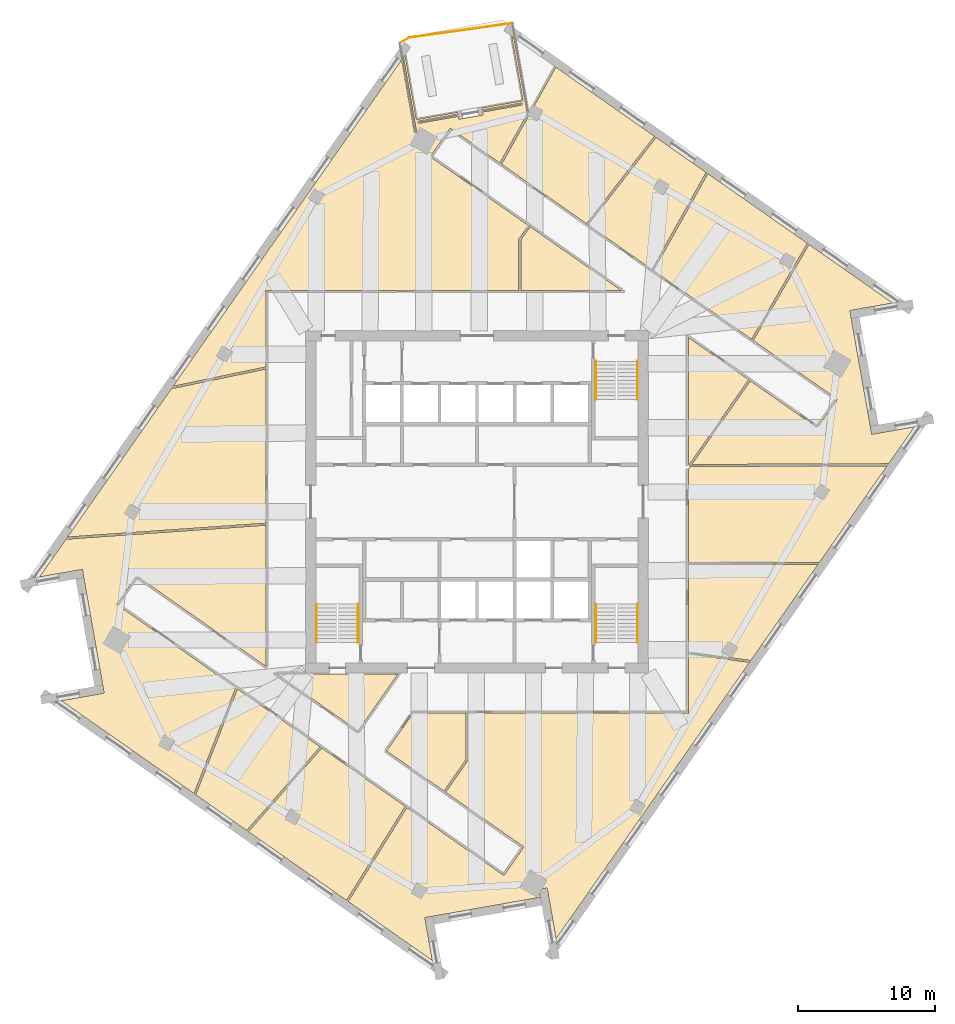
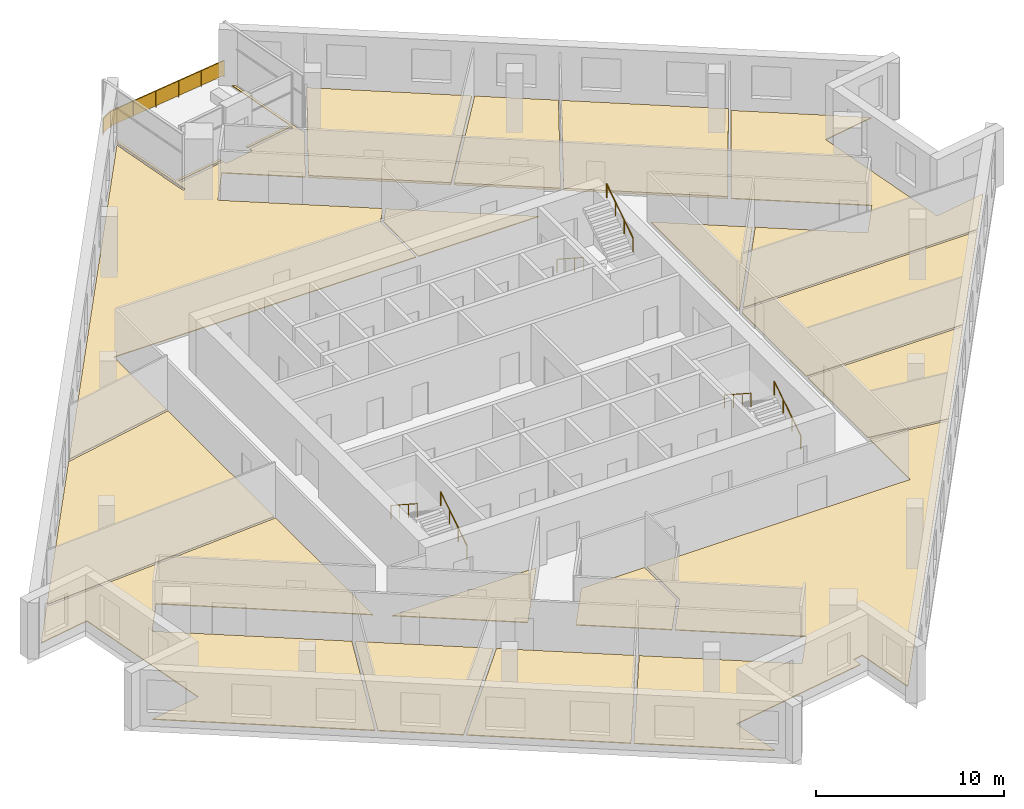
# One storey, part 12 of 13: 16 coverings, 7 railings.
"""IFC4 building model written with IfcOpenShell, lengths in metres."""

import ifcopenshell
import ifcopenshell.guid

model = None  # the IFC model being written
_history = None  # IfcOwnerHistory: only IFC2X3 demands one
_inside = {}  # id of a spatial element -> (the spatial element, [elements in it])
_under = {}  # id of a project, library or spatial element -> (it, [spatial elements below it])
_declared = {}  # id of a project -> (the project, [libraries it declares])
_typed = {}  # id of a type object -> (the type object, [elements of that type])
_made_of = {}  # id of a material, layer set ... -> (it, [elements and type objects made of it])


def new_model(schema):
    """Start an empty IFC model of exactly this schema.

    Asked for "IFC4X3", IfcOpenShell would pick the latest addendum, in which some entities
    have other attributes; the version numbers below select the first issue.
    IFC2X3 requires an IfcOwnerHistory on every rooted entity: one is made here for all.
    """
    global model, _history
    if schema == "IFC4X3":
        model = ifcopenshell.file(schema_version=(4, 3, 0, 0))
    else:
        model = ifcopenshell.file(schema=schema)
    _inside.clear()
    _under.clear()
    _declared.clear()
    _typed.clear()
    _made_of.clear()
    _history = None
    if model.schema == "IFC2X3":
        org = make("IfcOrganization", Name="unknown")
        user = make(
            "IfcPersonAndOrganization",
            ThePerson=make("IfcPerson", FamilyName="unknown"),
            TheOrganization=org,
        )
        app = make(
            "IfcApplication",
            ApplicationDeveloper=org,
            Version="unknown",
            ApplicationFullName="unknown",
            ApplicationIdentifier="unknown",
        )
        _history = make(
            "IfcOwnerHistory",
            OwningUser=user,
            OwningApplication=app,
            ChangeAction="ADDED",
            CreationDate=0,
        )
    return model


def make(cls, **values):
    """One entity of the class cls with the attributes given. An attribute that is None is left unset."""
    return model.create_entity(
        cls, **{name: value for name, value in values.items() if value is not None}
    )


def rooted(cls, **values):
    """An entity with a GlobalId (a new one), such as an element, a storey or a relation."""
    return make(cls, GlobalId=ifcopenshell.guid.new(), OwnerHistory=_history, **values)


def si_unit(unit_type, name, prefix=None):
    """IfcSIUnit, for example si_unit("LENGTHUNIT", "METRE", prefix="MILLI")."""
    return make("IfcSIUnit", UnitType=unit_type, Prefix=prefix, Name=name)


def assignment(units):
    """IfcUnitAssignment: the units of a project."""
    return None if units is None else make("IfcUnitAssignment", Units=units)


def point(xyz):
    """IfcCartesianPoint."""
    return None if xyz is None else make("IfcCartesianPoint", Coordinates=xyz)


def direction(xyz):
    """IfcDirection."""
    return None if xyz is None else make("IfcDirection", DirectionRatios=xyz)


def frame(location, z_axis=None, x_axis=None):
    """IfcAxis2Placement3D, a coordinate frame: its origin and axes. An axis left out is left unset."""
    return make(
        "IfcAxis2Placement3D",
        Location=point(location),
        Axis=direction(z_axis),
        RefDirection=direction(x_axis),
    )


def frame_2d(location, x_axis=None):
    """IfcAxis2Placement2D, a coordinate frame in the plane: its origin and x axis."""
    return make(
        "IfcAxis2Placement2D", Location=point(location), RefDirection=direction(x_axis)
    )


def origin():
    """The frame at (0, 0, 0) with its axes left unset."""
    return frame((0.0, 0.0, 0.0))


def origin_2d():
    """The frame at (0, 0) in the plane with its x axis left unset."""
    return frame_2d((0.0, 0.0))


def place(relative_to, where):
    """IfcLocalPlacement: puts the frame where relative to a parent placement (None: the world)."""
    return make(
        "IfcLocalPlacement", PlacementRelTo=relative_to, RelativePlacement=where
    )


def context(
    kind, dimensions, precision=None, world=None, true_north=None, identifier=None
):
    """IfcGeometricRepresentationContext, for example the 3D "Model" context."""
    return make(
        "IfcGeometricRepresentationContext",
        ContextIdentifier=identifier,
        ContextType=kind,
        CoordinateSpaceDimension=dimensions,
        Precision=precision,
        WorldCoordinateSystem=world,
        TrueNorth=true_north,
    )


def subcontext(parent, identifier, kind, view, scale=None):
    """IfcGeometricRepresentationSubContext, for example "Body" below "Model"."""
    return make(
        "IfcGeometricRepresentationSubContext",
        ContextIdentifier=identifier,
        ContextType=kind,
        ParentContext=parent,
        TargetScale=scale,
        TargetView=view,
    )


def project(units=None, contexts=None):
    """IfcProject with its units and contexts."""
    return rooted(
        "IfcProject",
        Name="project",
        RepresentationContexts=contexts,
        UnitsInContext=assignment(units),
    )


def spatial(cls, under=None, at=None, **own):
    """A site, building, storey or space (cls), placed at a placement, below another one or the project."""
    s = rooted(cls, ObjectPlacement=at, **own)
    if under is not None:
        _under.setdefault(under.id(), (under, []))[1].append(s)
    return s


def polyline(points):
    """IfcPolyline through the points."""
    return make("IfcPolyline", Points=[point(p) for p in points])


def profile(cls, at=None, kind="AREA", **sizes):
    """A parametric profile (cls). Its sizes go by their IFC names, for example OverallWidth=200.0."""
    return make(cls, ProfileType=kind, Position=at, **sizes)


def rectangle(**sizes):
    """IfcRectangleProfileDef."""
    return profile("IfcRectangleProfileDef", **sizes)


def circle(**sizes):
    """IfcCircleProfileDef."""
    return profile("IfcCircleProfileDef", **sizes)


def outline(outer, holes=None, kind="AREA"):
    """IfcArbitraryClosedProfileDef: a profile drawn as a closed curve; with holes, ...WithVoids."""
    if holes is None:
        return make("IfcArbitraryClosedProfileDef", ProfileType=kind, OuterCurve=outer)
    return make(
        "IfcArbitraryProfileDefWithVoids",
        ProfileType=kind,
        OuterCurve=outer,
        InnerCurves=holes,
    )


def extrude(swept, where, along, depth):
    """IfcExtrudedAreaSolid: the profile swept, set in the frame where, extruded along a direction by depth."""
    return make(
        "IfcExtrudedAreaSolid",
        SweptArea=swept,
        Position=where,
        ExtrudedDirection=direction(along),
        Depth=depth,
    )


def shape(context_of_items, identifier, shape_type, items):
    """IfcShapeRepresentation: the items that make up one representation, for example the "Body"."""
    return make(
        "IfcShapeRepresentation",
        ContextOfItems=context_of_items,
        RepresentationIdentifier=identifier,
        RepresentationType=shape_type,
        Items=items,
    )


def material(Name=None, Category=None):
    """IfcMaterial."""
    return make("IfcMaterial", Name=Name, Category=Category)


def layer(
    of_material, thickness, ventilated=None, Name=None, Category=None, Priority=None
):
    """IfcMaterialLayer: one layer of a wall or slab, of a material (None: an air gap)."""
    return make(
        "IfcMaterialLayer",
        Material=of_material,
        LayerThickness=thickness,
        IsVentilated=ventilated,
        Name=Name,
        Category=Category,
        Priority=Priority,
    )


def layer_set(layers, Name=None):
    """IfcMaterialLayerSet."""
    return make("IfcMaterialLayerSet", MaterialLayers=layers, LayerSetName=Name)


def made_of(thing, what):
    """Note that an element or type object is made of a material, layer set ...; save() writes the relation."""
    if what is not None:
        _made_of.setdefault(what.id(), (what, []))[1].append(thing)
    return thing


def type_object(cls, material=None, **own):
    """A type object (cls), such as IfcWallType, which elements share."""
    return made_of(rooted(cls, **own), material)


def element(
    cls,
    number,
    at=None,
    inside=None,
    cuts=None,
    type_object=None,
    material=None,
    context=None,
    identifier="Body",
    shape_type=None,
    held_by="IfcProductDefinitionShape",
    body=None,
    shapes=None,
    **own,
):
    """One element of the class cls, such as IfcWall. Its Tag is "e" and its number.

    at: its placement. inside: the storey or other place that contains it. cuts: it is an
    opening in that element (IfcRelVoidsElement). A single representation is given by context,
    identifier, shape_type and body (its items); several are given by shapes. held_by: the class
    of the entity that holds the representations. save() writes the other relations.
    """
    e = rooted(cls, Tag="e%d" % number, ObjectPlacement=at, **own)
    if body is not None:
        shapes = [shape(context, identifier, shape_type, body)]
    if shapes is not None:
        e.Representation = make(held_by, Representations=shapes)
    if inside is not None:
        _inside.setdefault(inside.id(), (inside, []))[1].append(e)
    if cuts is not None:
        rooted(
            "IfcRelVoidsElement", RelatingBuildingElement=cuts, RelatedOpeningElement=e
        )
    if type_object is not None:
        _typed.setdefault(type_object.id(), (type_object, []))[1].append(e)
    return made_of(e, material)


def aggregate(whole, parts):
    """IfcRelAggregates: a whole, such as a stair, and the parts it consists of."""
    return rooted("IfcRelAggregates", RelatingObject=whole, RelatedObjects=parts)


def save(model, path):
    """Write the relations noted so far, then the file.

    IfcRelAggregates (storeys below a building ...), IfcRelContainedInSpatialStructure (elements
    in a storey), IfcRelDefinesByType, IfcRelAssociatesMaterial and IfcRelDeclares: one each for
    every whole, place, type object, material and project.
    """
    for whole, parts in _under.values():
        aggregate(whole, parts)
    for where, things in _inside.values():
        rooted(
            "IfcRelContainedInSpatialStructure",
            RelatedElements=things,
            RelatingStructure=where,
        )
    for kind, things in _typed.values():
        rooted("IfcRelDefinesByType", RelatedObjects=things, RelatingType=kind)
    for what, things in _made_of.values():
        rooted("IfcRelAssociatesMaterial", RelatedObjects=things, RelatingMaterial=what)
    for by, libraries in _declared.values():
        rooted("IfcRelDeclares", RelatingContext=by, RelatedDefinitions=libraries)
    model.write(path)


model = new_model("IFC4")

# Units and contexts
model_context = context("Model", 3, precision=1e-05, world=origin(), true_north=direction((0.0, 1.0)))
body_context = subcontext(model_context, "Body", "Model", "MODEL_VIEW")
ifc_project = project(units=[si_unit("LENGTHUNIT", "METRE"), si_unit("AREAUNIT", "SQUARE_METRE"), si_unit("VOLUMEUNIT", "CUBIC_METRE"), si_unit("PLANEANGLEUNIT", "RADIAN"), si_unit("MASSUNIT", "GRAM", prefix="KILO")], contexts=[model_context])

# Site, building, storey
site_placement = place(None, origin())
site = spatial("IfcSite", under=ifc_project, at=site_placement, CompositionType="ELEMENT")
building_placement = place(site_placement, origin())
building = spatial("IfcBuilding", under=site, at=building_placement, Name="Dilmun Exchange Tower", CompositionType="ELEMENT")
storey_placement = place(building_placement, frame((0.0, 0.0, 250.89990234375)))
storey = spatial("IfcBuildingStorey", under=building, at=storey_placement, Name="L59", CompositionType="ELEMENT", Elevation=250.89990234375)

# Coverings
ifc_material_1 = material(Name="Carpet floor finish 50")
ifc_layer_1 = layer(ifc_material_1, 0.050048828125)
ifc_layer_set_1 = layer_set([ifc_layer_1], Name="Carpet floor finish 50")
covering_type_1 = type_object("IfcCoveringType", Name="Carpet floor finish 50", PredefinedType="FLOORING", material=ifc_layer_set_1)
covering_1_placement = place(storey_placement, origin())
element("IfcCovering", 1, at=covering_1_placement, inside=storey, type_object=covering_type_1, Name="Carpet floor finish 50 Research library 1", PredefinedType="FLOORING", context=body_context, shape_type="SweptSolid", body=[
    extrude(outline(polyline([(-15.47509765625, -1.712646484375), (-15.47509765625, -12.04638671875), (-24.933837890625, -5.42333984375), (-26.396484375, -7.51220703125), (-17.677734375, -13.6171875), (-20.736328125, -21.368408203125), (-30.45166015625, -14.56591796875), (-27.31787109375, -14.01318359375), (-27.317626953125, -14.01318359375), (-27.3173828125, -14.01318359375), (-27.317138671875, -14.01318359375), (-27.31689453125, -14.012939453125), (-27.31689453125, -14.012939453125), (-27.316650390625, -14.0126953125), (-27.316650390625, -14.0126953125), (-27.31640625, -14.012451171875), (-27.31640625, -14.01220703125), (-27.31640625, -14.01220703125), (-27.316162109375, -14.011962890625), (-27.316162109375, -14.01171875), (-27.316162109375, -14.01171875), (-27.316162109375, -14.011474609375), (-27.316162109375, -14.01123046875), (-27.316162109375, -14.010986328125), (-27.42041015625, -13.42041015625), (-27.42041015625, -13.42041015625), (-27.42041015625, -13.420166015625), (-28.809326171875, -5.5419921875), (-28.809326171875, -5.5419921875), (-28.809326171875, -5.5419921875), (-28.809326171875, -5.541748046875), (-28.91357421875, -4.95068359375), (-28.913818359375, -4.95068359375), (-28.913818359375, -4.950439453125), (-28.913818359375, -4.9501953125), (-28.913818359375, -4.9501953125), (-28.9140625, -4.949951171875), (-28.9140625, -4.94970703125), (-28.914306640625, -4.94970703125), (-28.914306640625, -4.949462890625), (-28.91455078125, -4.949462890625), (-28.914794921875, -4.94921875), (-28.9150390625, -4.94921875), (-28.915283203125, -4.94921875), (-28.915283203125, -4.94921875), (-28.91552734375, -4.94921875), (-28.915771484375, -4.94921875), (-28.916015625, -4.94921875), (-32.0498046875, -5.501708984375), (-30.11279296875, -2.735107421875), (-15.47509765625, -1.712646484375)])), origin(), (0.0, 0.0, 1.0), 0.050048828125),
])
covering_2_placement = place(storey_placement, origin())
element("IfcCovering", 2, at=covering_2_placement, inside=storey, type_object=covering_type_1, Name="Carpet floor finish 50 Regulator office 1", PredefinedType="FLOORING", context=body_context, shape_type="SweptSolid", body=[
    extrude(outline(polyline([(-15.47509765625, 9.7275390625), (-15.47509765625, -1.562255859375), (-30.001953125, -2.5771484375), (-22.3935546875, 8.288818359375), (-15.47509765625, 9.7275390625)])), origin(), (0.0, 0.0, 1.0), 0.050048828125),
])
covering_3_placement = place(storey_placement, origin())
element("IfcCovering", 3, at=covering_3_placement, inside=storey, type_object=covering_type_1, Name="Carpet floor finish 50 Regulator office 2", PredefinedType="FLOORING", context=body_context, shape_type="SweptSolid", body=[
    extrude(outline(polyline([(-17.55126953125, -13.70556640625), (-11.49267578125, -17.94775390625), (-16.87060546875, -24.075439453125), (-20.610107421875, -21.45703125), (-17.55126953125, -13.70556640625)])), origin(), (0.0, 0.0, 1.0), 0.050048828125),
])
covering_4_placement = place(storey_placement, origin())
element("IfcCovering", 4, at=covering_4_placement, inside=storey, type_object=covering_type_1, Name="Carpet floor finish 50 Regulator office 3", PredefinedType="FLOORING", context=body_context, shape_type="SweptSolid", body=[
    extrude(outline(polyline([(-11.369140625, -18.034423828125), (-5.26025390625, -22.311767578125), (-9.55908203125, -29.195068359375), (-16.746826171875, -24.162109375), (-11.369140625, -18.034423828125)])), origin(), (0.0, 0.0, 1.0), 0.050048828125),
])
covering_5_placement = place(storey_placement, origin())
element("IfcCovering", 5, at=covering_5_placement, inside=storey, type_object=covering_type_1, Name="Carpet floor finish 50 Garden lounge", PredefinedType="FLOORING", context=body_context, shape_type="SweptSolid", body=[
    extrude(outline(polyline([(-15.47509765625, 9.880859375), (-22.26806640625, 8.468017578125), (-5.523193359375, 32.382080078125), (-4.575439453125, 27.006103515625), (-4.5751953125, 27.006103515625), (-4.5751953125, 27.005859375), (-4.5751953125, 27.005615234375), (-4.5751953125, 27.00537109375), (-4.574951171875, 27.00537109375), (-4.57470703125, 27.005126953125), (-4.57470703125, 27.0048828125), (-4.574462890625, 27.0048828125), (-4.574462890625, 27.0048828125), (-4.57421875, 27.004638671875), (-4.573974609375, 27.004638671875), (-4.57373046875, 27.004638671875), (-4.573486328125, 27.00439453125), (-4.573486328125, 27.00439453125), (-4.5732421875, 27.00439453125), (-4.572998046875, 27.00439453125), (-4.41552734375, 27.0322265625), (-4.415283203125, 27.032470703125), (-4.4150390625, 27.032470703125), (-4.414794921875, 27.032470703125), (-4.414794921875, 27.03271484375), (-4.41455078125, 27.03271484375), (-4.414306640625, 27.03271484375), (-4.414306640625, 27.032958984375), (-4.414306640625, 27.033203125), (-4.4140625, 27.033203125), (-4.4140625, 27.033447265625), (-4.413818359375, 27.03369140625), (-4.413818359375, 27.033935546875), (-4.413818359375, 27.0341796875), (-4.413818359375, 27.0341796875), (-4.413818359375, 27.034423828125), (-4.413818359375, 27.03466796875), (-5.39013671875, 32.572021484375), (-5.2744140625, 32.737548828125), (-4.441650390625, 28.015380859375), (-1.426025390625, 28.547119140625), (-1.401123046875, 28.40625), (-4.343017578125, 27.8876953125), (-4.343017578125, 27.8876953125), (-4.34326171875, 27.887451171875), (-4.343505859375, 27.887451171875), (-4.34375, 27.887451171875), (-4.34375, 27.88720703125), (-4.343994140625, 27.88720703125), (-4.343994140625, 27.886962890625), (-4.34423828125, 27.88671875), (-4.34423828125, 27.88671875), (-4.344482421875, 27.886474609375), (-4.344482421875, 27.88623046875), (-4.344482421875, 27.885986328125), (-4.344482421875, 27.885986328125), (-4.344482421875, 27.8857421875), (-4.344482421875, 27.885498046875), (-4.344482421875, 27.88525390625), (-4.31689453125, 27.727783203125), (-4.316650390625, 27.7275390625), (-4.316650390625, 27.727294921875), (-4.316650390625, 27.727294921875), (-4.31640625, 27.72705078125), (-4.31640625, 27.726806640625), (-4.31640625, 27.726806640625), (-4.316162109375, 27.7265625), (-4.31591796875, 27.7265625), (-4.31591796875, 27.726318359375), (-4.315673828125, 27.726318359375), (-4.3154296875, 27.726318359375), (-4.315185546875, 27.726318359375), (-4.31494140625, 27.72607421875), (-4.31494140625, 27.72607421875), (-4.314697265625, 27.72607421875), (-4.314453125, 27.72607421875), (-1.372802734375, 28.244873046875), (-1.3349609375, 28.030029296875), (-1.334716796875, 28.02978515625), (-1.334716796875, 28.02978515625), (-1.334716796875, 28.029541015625), (-1.334716796875, 28.029296875), (-1.33447265625, 28.029296875), (-1.334228515625, 28.029052734375), (-1.334228515625, 28.02880859375), (-1.333984375, 28.02880859375), (-1.333984375, 28.02880859375), (-1.333740234375, 28.028564453125), (-1.33349609375, 28.028564453125), (-1.333251953125, 28.028564453125), (-1.3330078125, 28.028564453125), (-1.3330078125, 28.028564453125), (-1.332763671875, 28.028564453125), (-1.33251953125, 28.028564453125), (0.43994140625, 28.341064453125), (0.440185546875, 28.341064453125), (0.4404296875, 28.34130859375), (0.440673828125, 28.34130859375), (0.44091796875, 28.34130859375), (0.44091796875, 28.341552734375), (0.441162109375, 28.341552734375), (0.441162109375, 28.341796875), (0.44140625, 28.341796875), (0.44140625, 28.342041015625), (0.44140625, 28.34228515625), (0.441650390625, 28.34228515625), (0.441650390625, 28.342529296875), (0.441650390625, 28.3427734375), (0.441650390625, 28.343017578125), (0.441650390625, 28.34326171875), (0.441650390625, 28.343505859375), (0.40380859375, 28.55810546875), (3.345458984375, 29.07666015625), (3.345703125, 29.076904296875), (3.345947265625, 29.076904296875), (3.34619140625, 29.076904296875), (3.34619140625, 29.076904296875), (3.346435546875, 29.0771484375), (3.3466796875, 29.077392578125), (3.3466796875, 29.077392578125), (3.3466796875, 29.07763671875), (3.346923828125, 29.07763671875), (3.346923828125, 29.077880859375), (3.34716796875, 29.078125), (3.34716796875, 29.078369140625), (3.34716796875, 29.07861328125), (3.34716796875, 29.07861328125), (3.34716796875, 29.078857421875), (3.34716796875, 29.0791015625), (3.3193359375, 29.236572265625), (3.3193359375, 29.23681640625), (3.3193359375, 29.237060546875), (3.319091796875, 29.2373046875), (3.319091796875, 29.2373046875), (3.319091796875, 29.237548828125), (3.31884765625, 29.23779296875), (3.318603515625, 29.23779296875), (3.318603515625, 29.23779296875), (3.318359375, 29.238037109375), (3.318115234375, 29.238037109375), (3.318115234375, 29.23828125), (3.31787109375, 29.23828125), (3.317626953125, 29.23828125), (3.3173828125, 29.23828125), (3.3173828125, 29.23828125), (3.317138671875, 29.23828125), (0.375244140625, 28.719482421875), (0.3505859375, 28.8603515625), (3.3662109375, 29.39208984375), (2.533447265625, 34.114501953125), (2.69921875, 33.998291015625), (3.666015625, 28.514404296875), (3.666259765625, 28.51416015625), (3.666259765625, 28.513916015625), (3.666259765625, 28.513671875), (3.66650390625, 28.513427734375), (3.66650390625, 28.513427734375), (3.666748046875, 28.51318359375), (3.666748046875, 28.51318359375), (3.6669921875, 28.512939453125), (3.6669921875, 28.512939453125), (3.667236328125, 28.5126953125), (3.66748046875, 28.5126953125), (3.667724609375, 28.5126953125), (3.66796875, 28.5126953125), (3.668212890625, 28.5126953125), (3.668212890625, 28.5126953125), (3.66845703125, 28.5126953125), (3.747314453125, 28.526611328125), (1.675048828125, 24.822265625), (-1.968994140625, 27.373779296875), (-3.431640625, 25.284912109375), (3.765869140625, 20.245361328125), (3.0546875, 19.22998046875), (3.0546875, 15.47509765625), (-15.47509765625, 15.47509765625), (-15.47509765625, 9.880859375)])), origin(), (0.0, 0.0, 1.0), 0.050048828125),
])
covering_6_placement = place(storey_placement, origin())
element("IfcCovering", 6, at=covering_6_placement, inside=storey, type_object=covering_type_1, Name="Carpet floor finish 50 Supervision hall 1", PredefinedType="FLOORING", context=body_context, shape_type="SweptSolid", body=[
    extrude(outline(polyline([(-5.13720703125, -22.39794921875), (1.968994140625, -27.373779296875), (3.431640625, -25.284912109375), (-2.29736328125, -21.2734375), (-0.666259765625, -18.944091796875), (-0.666259765625, -15.47509765625), (15.47509765625, -15.47509765625), (15.47509765625, -11.1435546875), (19.963134765625, -11.760009765625), (5.791748046875, -31.998779296875), (5.1376953125, -28.289306640625), (5.1376953125, -28.2890625), (5.137451171875, -28.288818359375), (5.137451171875, -28.288818359375), (5.13720703125, -28.28857421875), (5.13720703125, -28.288330078125), (5.13720703125, -28.2880859375), (5.136962890625, -28.2880859375), (5.13671875, -28.2880859375), (5.13671875, -28.287841796875), (5.136474609375, -28.287841796875), (5.13623046875, -28.28759765625), (5.135986328125, -28.28759765625), (5.135986328125, -28.28759765625), (5.1357421875, -28.28759765625), (5.135498046875, -28.28759765625), (5.13525390625, -28.28759765625), (4.54443359375, -28.391845703125), (4.544189453125, -28.391845703125), (4.5439453125, -28.391845703125), (4.5439453125, -28.39208984375), (4.543701171875, -28.39208984375), (4.54345703125, -28.39208984375), (4.54345703125, -28.392333984375), (4.543212890625, -28.392578125), (4.543212890625, -28.392578125), (4.54296875, -28.392822265625), (4.54296875, -28.39306640625), (4.54296875, -28.393310546875), (4.542724609375, -28.393310546875), (4.542724609375, -28.3935546875), (4.542724609375, -28.393798828125), (4.542724609375, -28.39404296875), (4.542724609375, -28.39404296875), (4.643798828125, -28.9677734375), (-3.232421875, -30.356689453125), (-3.232666015625, -30.356689453125), (-3.23291015625, -30.356689453125), (-3.23291015625, -30.356689453125), (-3.823486328125, -30.460693359375), (-3.823486328125, -30.4609375), (-3.82373046875, -30.4609375), (-3.823974609375, -30.4609375), (-3.82421875, -30.461181640625), (-3.82421875, -30.461181640625), (-3.824462890625, -30.461181640625), (-3.82470703125, -30.46142578125), (-3.82470703125, -30.461669921875), (-3.82470703125, -30.4619140625), (-3.824951171875, -30.4619140625), (-3.824951171875, -30.462158203125), (-3.824951171875, -30.46240234375), (-3.824951171875, -30.462646484375), (-3.824951171875, -30.462646484375), (-3.824951171875, -30.462890625), (-3.824951171875, -30.463134765625), (-3.2724609375, -33.5966796875), (-9.43603515625, -29.28125), (-5.13720703125, -22.39794921875)])), origin(), (0.0, 0.0, 1.0), 0.050048828125),
])
covering_7_placement = place(storey_placement, origin())
element("IfcCovering", 7, at=covering_7_placement, inside=storey, type_object=covering_type_1, Name="Carpet floor finish 50 Regulator office 4", PredefinedType="FLOORING", context=body_context, shape_type="SweptSolid", body=[
    extrude(outline(polyline([(15.47509765625, -10.991943359375), (15.47509765625, -4.577392578125), (24.974609375, -4.602783203125), (20.059814453125, -11.621826171875), (15.47509765625, -10.991943359375)])), origin(), (0.0, 0.0, 1.0), 0.050048828125),
])
covering_8_placement = place(storey_placement, origin())
element("IfcCovering", 8, at=covering_8_placement, inside=storey, type_object=covering_type_1, Name="Carpet floor finish 50 Research library 2", PredefinedType="FLOORING", context=body_context, shape_type="SweptSolid", body=[
    extrude(outline(polyline([(15.47509765625, -4.427490234375), (15.47509765625, 2.365966796875), (15.631591796875, 2.589599609375), (30.04833984375, 2.6435546875), (25.079345703125, -4.452880859375), (15.47509765625, -4.427490234375)])), origin(), (0.0, 0.0, 1.0), 0.050048828125),
])
covering_9_placement = place(storey_placement, origin())
element("IfcCovering", 9, at=covering_9_placement, inside=storey, type_object=covering_type_1, Name="Carpet floor finish 50 Supervision hall 2", PredefinedType="FLOORING", context=body_context, shape_type="SweptSolid", body=[
    extrude(outline(polyline([(15.737060546875, 2.739990234375), (20.023193359375, 8.861572265625), (24.933837890625, 5.42333984375), (26.396484375, 7.51220703125), (20.236083984375, 11.82568359375), (24.322509765625, 18.857421875), (30.45166015625, 14.56591796875), (27.31787109375, 14.01318359375), (27.317626953125, 14.01318359375), (27.3173828125, 14.01318359375), (27.317138671875, 14.01318359375), (27.31689453125, 14.012939453125), (27.31689453125, 14.012939453125), (27.316650390625, 14.0126953125), (27.316650390625, 14.0126953125), (27.31640625, 14.012451171875), (27.31640625, 14.01220703125), (27.31640625, 14.01220703125), (27.316162109375, 14.011962890625), (27.316162109375, 14.01171875), (27.316162109375, 14.01171875), (27.316162109375, 14.011474609375), (27.316162109375, 14.01123046875), (27.316162109375, 14.010986328125), (27.42041015625, 13.42041015625), (27.42041015625, 13.42041015625), (27.42041015625, 13.420166015625), (28.809326171875, 5.5419921875), (28.809326171875, 5.5419921875), (28.809326171875, 5.5419921875), (28.809326171875, 5.541748046875), (28.91357421875, 4.95068359375), (28.913818359375, 4.95068359375), (28.913818359375, 4.950439453125), (28.913818359375, 4.9501953125), (28.913818359375, 4.9501953125), (28.9140625, 4.949951171875), (28.9140625, 4.94970703125), (28.914306640625, 4.94970703125), (28.914306640625, 4.949462890625), (28.91455078125, 4.949462890625), (28.914794921875, 4.94921875), (28.9150390625, 4.94921875), (28.915283203125, 4.94921875), (28.915283203125, 4.94921875), (28.91552734375, 4.94921875), (28.915771484375, 4.94921875), (28.916015625, 4.94921875), (32.0498046875, 5.501708984375), (30.15380859375, 2.7939453125), (15.737060546875, 2.739990234375)])), origin(), (0.0, 0.0, 1.0), 0.050048828125),
])
ifc_material_2 = material(Name="Raised access floor 150")
ifc_layer_2 = layer(ifc_material_2, 0.14990234375)
ifc_layer_set_2 = layer_set([ifc_layer_2], Name="Raised access floor 150")
covering_type_2 = type_object("IfcCoveringType", Name="Raised access floor 150", PredefinedType="FLOORING", material=ifc_layer_set_2)
covering_10_placement = place(storey_placement, origin())
element("IfcCovering", 10, at=covering_10_placement, inside=storey, type_object=covering_type_2, Name="Raised access floor 150 Analytics room 1", PredefinedType="FLOORING", context=body_context, shape_type="SweptSolid", body=[
    extrude(outline(polyline([(1.798583984375, 24.73583984375), (5.775390625, 31.844482421875), (13.001220703125, 26.784912109375), (8.025634765625, 20.37548828125), (1.798583984375, 24.73583984375)])), origin(), (0.0, 0.0, 1.0), 0.150146484375),
])
covering_11_placement = place(storey_placement, origin())
element("IfcCovering", 11, at=covering_11_placement, inside=storey, type_object=covering_type_2, Name="Raised access floor 150 Analytics room 2", PredefinedType="FLOORING", context=body_context, shape_type="SweptSolid", body=[
    extrude(outline(polyline([(12.8115234375, 17.0244140625), (8.148681640625, 20.289306640625), (13.124267578125, 26.698486328125), (16.785400390625, 24.13525390625), (12.8115234375, 17.0244140625)])), origin(), (0.0, 0.0, 1.0), 0.150146484375),
])
covering_12_placement = place(storey_placement, origin())
element("IfcCovering", 12, at=covering_12_placement, inside=storey, type_object=covering_type_2, Name="Raised access floor 150 Analytics room 3", PredefinedType="FLOORING", context=body_context, shape_type="SweptSolid", body=[
    extrude(outline(polyline([(20.11279296875, 11.912109375), (12.93505859375, 16.93798828125), (16.90869140625, 24.048583984375), (24.19921875, 18.94384765625), (20.11279296875, 11.912109375)])), origin(), (0.0, 0.0, 1.0), 0.150146484375),
])

# Railings
ifc_material_3 = material(Name="Stainless steel", Category="steel")
railing_type_1 = type_object("IfcRailingType", Name="Stair handrail 900", PredefinedType="HANDRAIL", material=ifc_material_3)
railing_1_placement = place(storey_placement, frame((8.699951171875, 10.300048828125, 0.181884765625)))
element("IfcRailing", 13, at=railing_1_placement, inside=storey, type_object=railing_type_1, Name="L59 ST1 stair handrail 1", PredefinedType="HANDRAIL", context=body_context, shape_type="SweptSolid", body=[
    extrude(circle(Radius=0.02392578125, at=origin_2d()), frame((0.0, 0.0, 0.8759765625), z_axis=(0.0, -0.838705829183, 0.544584733623), x_axis=(1.0, 0.0, 0.0)), (0.0, 0.0, 1.0), 3.338623046875),
    extrude(circle(Radius=0.02099609375, at=origin_2d()), origin(), (0.0, 0.0, 1.0), 0.851806640625),
    extrude(circle(Radius=0.02099609375, at=origin_2d()), frame((0.0, -0.933349609375, 0.60595703125)), (0.0, 0.0, 1.0), 0.851806640625),
    extrude(circle(Radius=0.02099609375, at=origin_2d()), frame((0.0, -1.86669921875, 1.212158203125)), (0.0, 0.0, 1.0), 0.851806640625),
    extrude(circle(Radius=0.02099609375, at=origin_2d()), frame((0.0, -2.800048828125, 1.818115234375)), (0.0, 0.0, 1.0), 0.851806640625),
])
for number, where, name in (
    (14, (11.75, 7.5, 2.181884765625), "L59 ST1 stair handrail 2"),
    (15, (-8.699951171875, -10.300048828125, 0.181884765625), "L59 ST2 stair handrail 1"),
):
    element("IfcRailing", number, at=place(storey_placement, frame(where)), inside=storey, type_object=railing_type_1, Name=name, PredefinedType="HANDRAIL", context=body_context, shape_type="SweptSolid", body=[
        extrude(circle(Radius=0.02392578125, at=origin_2d()), frame((0.0, 0.0, 0.8759765625), z_axis=(0.0, 0.838705829183, 0.544584733623), x_axis=(-1.0, 0.0, 0.0)), (0.0, 0.0, 1.0), 3.338623046875),
        extrude(circle(Radius=0.02099609375, at=origin_2d()), origin(), (0.0, 0.0, 1.0), 0.851806640625),
        extrude(circle(Radius=0.02099609375, at=origin_2d()), frame((0.0, 0.933349609375, 0.60595703125)), (0.0, 0.0, 1.0), 0.851806640625),
        extrude(circle(Radius=0.02099609375, at=origin_2d()), frame((0.0, 1.86669921875, 1.212158203125)), (0.0, 0.0, 1.0), 0.851806640625),
        extrude(circle(Radius=0.02099609375, at=origin_2d()), frame((0.0, 2.800048828125, 1.818115234375)), (0.0, 0.0, 1.0), 0.851806640625),
    ])
railing_2_placement = place(storey_placement, frame((-11.75, -7.5, 2.181884765625)))
element("IfcRailing", 16, at=railing_2_placement, inside=storey, type_object=railing_type_1, Name="L59 ST2 stair handrail 2", PredefinedType="HANDRAIL", context=body_context, shape_type="SweptSolid", body=[
    extrude(circle(Radius=0.02392578125, at=origin_2d()), frame((0.0, 0.0, 0.8759765625), z_axis=(0.0, -0.838705829183, 0.544584733623), x_axis=(1.0, 0.0, 0.0)), (0.0, 0.0, 1.0), 3.338623046875),
    extrude(circle(Radius=0.02099609375, at=origin_2d()), origin(), (0.0, 0.0, 1.0), 0.851806640625),
    extrude(circle(Radius=0.02099609375, at=origin_2d()), frame((0.0, -0.933349609375, 0.60595703125)), (0.0, 0.0, 1.0), 0.851806640625),
    extrude(circle(Radius=0.02099609375, at=origin_2d()), frame((0.0, -1.86669921875, 1.212158203125)), (0.0, 0.0, 1.0), 0.851806640625),
    extrude(circle(Radius=0.02099609375, at=origin_2d()), frame((0.0, -2.800048828125, 1.818115234375)), (0.0, 0.0, 1.0), 0.851806640625),
])
railing_3_placement = place(storey_placement, frame((11.75, -10.300048828125, 0.181884765625)))
element("IfcRailing", 17, at=railing_3_placement, inside=storey, type_object=railing_type_1, Name="L59 ST3 stair handrail 1", PredefinedType="HANDRAIL", context=body_context, shape_type="SweptSolid", body=[
    extrude(circle(Radius=0.02392578125, at=origin_2d()), frame((0.0, 0.0, 0.8759765625), z_axis=(0.0, 0.838705829183, 0.544584733623), x_axis=(-1.0, 0.0, 0.0)), (0.0, 0.0, 1.0), 3.338623046875),
    extrude(circle(Radius=0.02099609375, at=origin_2d()), origin(), (0.0, 0.0, 1.0), 0.851806640625),
    extrude(circle(Radius=0.02099609375, at=origin_2d()), frame((0.0, 0.933349609375, 0.60595703125)), (0.0, 0.0, 1.0), 0.851806640625),
    extrude(circle(Radius=0.02099609375, at=origin_2d()), frame((0.0, 1.86669921875, 1.212158203125)), (0.0, 0.0, 1.0), 0.851806640625),
    extrude(circle(Radius=0.02099609375, at=origin_2d()), frame((0.0, 2.800048828125, 1.818115234375)), (0.0, 0.0, 1.0), 0.851806640625),
])
railing_4_placement = place(storey_placement, frame((8.699951171875, -7.5, 2.181884765625)))
element("IfcRailing", 18, at=railing_4_placement, inside=storey, type_object=railing_type_1, Name="L59 ST3 stair handrail 2", PredefinedType="HANDRAIL", context=body_context, shape_type="SweptSolid", body=[
    extrude(circle(Radius=0.02392578125, at=origin_2d()), frame((0.0, 0.0, 0.8759765625), z_axis=(0.0, -0.838705829183, 0.544584733623), x_axis=(1.0, 0.0, 0.0)), (0.0, 0.0, 1.0), 3.338623046875),
    extrude(circle(Radius=0.02099609375, at=origin_2d()), origin(), (0.0, 0.0, 1.0), 0.851806640625),
    extrude(circle(Radius=0.02099609375, at=origin_2d()), frame((0.0, -0.933349609375, 0.60595703125)), (0.0, 0.0, 1.0), 0.851806640625),
    extrude(circle(Radius=0.02099609375, at=origin_2d()), frame((0.0, -1.86669921875, 1.212158203125)), (0.0, 0.0, 1.0), 0.851806640625),
    extrude(circle(Radius=0.02099609375, at=origin_2d()), frame((0.0, -2.800048828125, 1.818115234375)), (0.0, 0.0, 1.0), 0.851806640625),
])

# Covering
ifc_material_4 = material(Name="Stone floor finish 50", Category="masonry")
ifc_layer_3 = layer(ifc_material_4, 0.050048828125)
ifc_layer_set_3 = layer_set([ifc_layer_3], Name="Stone floor finish 50")
covering_type_3 = type_object("IfcCoveringType", Name="Stone floor finish 50", PredefinedType="FLOORING", material=ifc_layer_set_3)
covering_13_placement = place(storey_placement, origin())
element("IfcCovering", 19, at=covering_13_placement, inside=storey, type_object=covering_type_3, Name="Stone floor finish 50 Reception", PredefinedType="FLOORING", context=body_context, shape_type="SweptSolid", body=[
    extrude(outline(polyline([(-0.816162109375, -18.896728515625), (-2.420166015625, -21.1875), (-6.62353515625, -18.244384765625), (-4.6845703125, -15.47509765625), (-0.816162109375, -15.47509765625), (-0.816162109375, -18.896728515625)])), origin(), (0.0, 0.0, 1.0), 0.050048828125),
])

# Railing
railing_type_2 = type_object("IfcRailingType", Name="Terrace guard 1100 stainless steel", PredefinedType="GUARDRAIL", material=ifc_material_3)
railing_5_placement = place(storey_placement, frame((-5.65673828125, 33.61083984375, 0.0)))
element("IfcRailing", 20, at=railing_5_placement, inside=storey, type_object=railing_type_2, Name="Terrace guard 1", PredefinedType="GUARDRAIL", context=body_context, shape_type="SweptSolid", body=[
    extrude(circle(Radius=0.02392578125, at=origin_2d()), frame((0.0, 0.0, 1.076171875), z_axis=(0.863187603129, 0.504883315038, 0.0), x_axis=(-0.504883315038, 0.863187603129, 0.0)), (0.0, 0.0, 1.0), 0.79443359375),
    extrude(rectangle(XDim=0.011962890625, YDim=0.951904296875, at=origin_2d()), frame((0.0, 0.0, 0.576171875), z_axis=(0.863187603129, 0.504883315038, 0.0), x_axis=(-0.504883315038, 0.863187603129, 0.0)), (0.0, 0.0, 1.0), 0.79443359375),
    extrude(circle(Radius=0.02392578125, at=origin_2d()), frame((0.685791015625, 0.401123046875, 1.076171875), z_axis=(0.990438846295, 0.137952498164, 0.0), x_axis=(-0.137952498164, 0.990438846295, 0.0)), (0.0, 0.0, 1.0), 7.63818359375),
    extrude(rectangle(XDim=0.011962890625, YDim=0.951904296875, at=origin_2d()), frame((0.685791015625, 0.401123046875, 0.576171875), z_axis=(0.990438846295, 0.137952498164, 0.0), x_axis=(-0.137952498164, 0.990438846295, 0.0)), (0.0, 0.0, 1.0), 7.63818359375),
    extrude(circle(Radius=0.02099609375, at=origin_2d()), origin(), (0.0, 0.0, 1.0), 1.052001953125),
    extrude(circle(Radius=0.02099609375, at=origin_2d()), frame((0.685791015625, 0.401123046875, 0.0)), (0.0, 0.0, 1.0), 1.052001953125),
    extrude(circle(Radius=0.02099609375, at=origin_2d()), frame((2.19873046875, 0.61181640625, 0.0)), (0.0, 0.0, 1.0), 1.052001953125),
    extrude(circle(Radius=0.02099609375, at=origin_2d()), frame((3.7119140625, 0.822509765625, 0.0)), (0.0, 0.0, 1.0), 1.052001953125),
    extrude(circle(Radius=0.02099609375, at=origin_2d()), frame((5.224853515625, 1.033447265625, 0.0)), (0.0, 0.0, 1.0), 1.052001953125),
    extrude(circle(Radius=0.02099609375, at=origin_2d()), frame((6.738037109375, 1.244140625, 0.0)), (0.0, 0.0, 1.0), 1.052001953125),
    extrude(circle(Radius=0.02099609375, at=origin_2d()), frame((8.2509765625, 1.454833984375, 0.0)), (0.0, 0.0, 1.0), 1.052001953125),
])

# Coverings
ifc_material_5 = material(Name="Tile floor finish 50")
ifc_layer_4 = layer(ifc_material_5, 0.050048828125)
ifc_layer_set_4 = layer_set([ifc_layer_4], Name="Tile floor finish 50")
covering_type_4 = type_object("IfcCoveringType", Name="Tile floor finish 50", PredefinedType="FLOORING", material=ifc_layer_set_4)
covering_14_placement = place(storey_placement, origin())
element("IfcCovering", 21, at=covering_14_placement, inside=storey, type_object=covering_type_4, Name="Tile floor finish 50 Pantry 1", PredefinedType="FLOORING", context=body_context, shape_type="SweptSolid", body=[
    extrude(outline(polyline([(-5.802001953125, -12.625), (-8.71240234375, -16.781494140625), (-14.648681640625, -12.625), (-5.802001953125, -12.625)])), origin(), (0.0, 0.0, 1.0), 0.050048828125),
])
covering_15_placement = place(storey_placement, origin())
element("IfcCovering", 22, at=covering_15_placement, inside=storey, type_object=covering_type_4, Name="Tile floor finish 50 Pantry 2", PredefinedType="FLOORING", context=body_context, shape_type="SweptSolid", body=[
    extrude(outline(polyline([(3.204833984375, 15.47509765625), (3.204833984375, 19.1826171875), (3.888671875, 20.1591796875), (10.57861328125, 15.47509765625), (3.204833984375, 15.47509765625)])), origin(), (0.0, 0.0, 1.0), 0.050048828125),
])
covering_16_placement = place(storey_placement, origin())
element("IfcCovering", 23, at=covering_16_placement, inside=storey, type_object=covering_type_4, Name="Tile floor finish 50 Pantry 3", PredefinedType="FLOORING", context=body_context, shape_type="SweptSolid", body=[
    extrude(outline(polyline([(19.900390625, 8.94775390625), (15.553466796875, 2.739501953125), (15.47509765625, 2.739013671875), (15.47509765625, 12.04638671875), (19.900390625, 8.94775390625)])), origin(), (0.0, 0.0, 1.0), 0.050048828125),
])

save(model, "model.ifc")
